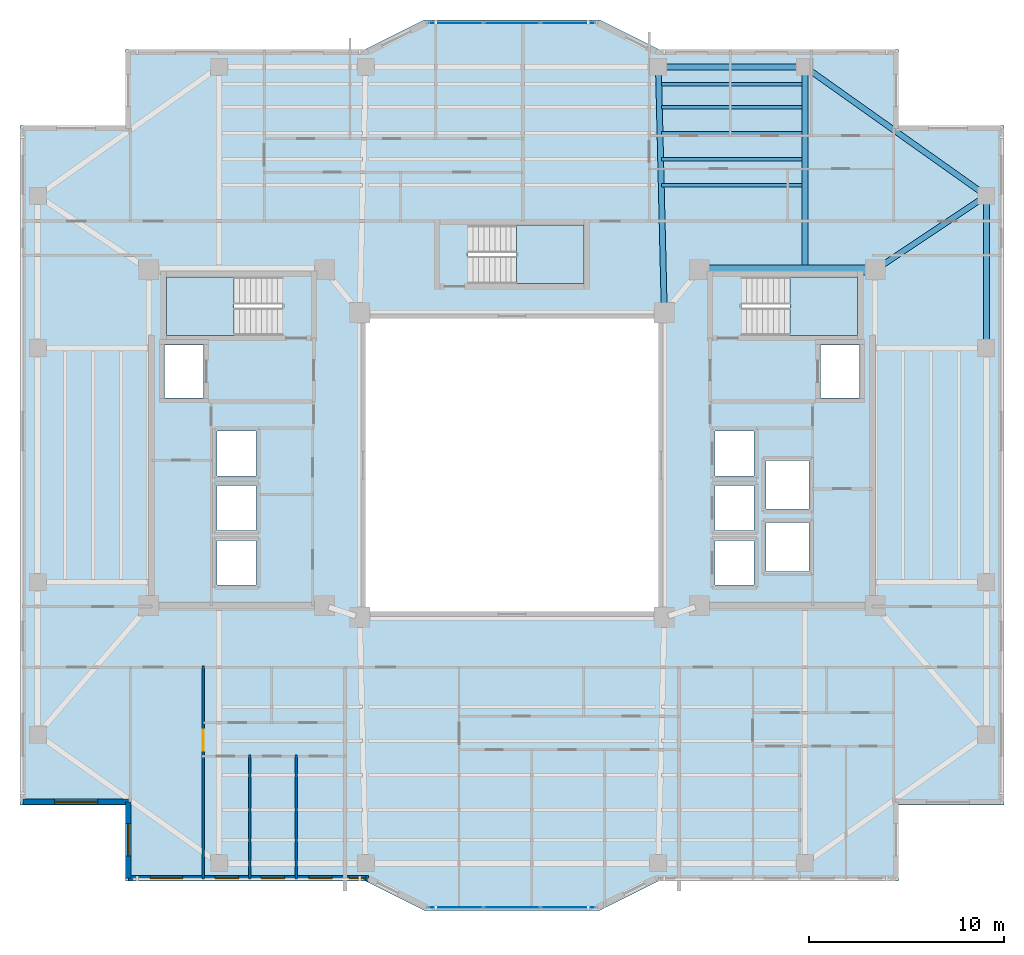
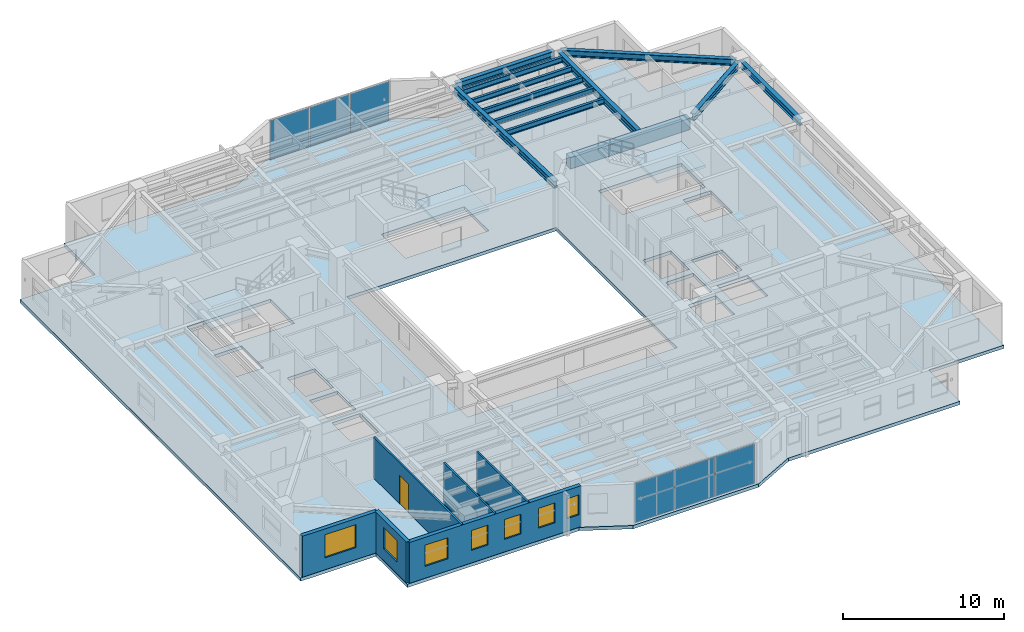
# One storey, part 5 of 16: 12 beams, 7 windows, 6 plates, 6 walls, 4 slabs, 1 door, 8 openings, 5 elements without a shape of their own.
"""IFC4 building model written with IfcOpenShell, lengths in metres."""

from ifc_helpers import new_model, si_unit, direction, frame, frame_2d, origin, origin_2d, place, context, subcontext, project, spatial, polyline, rectangle, i_section, outline, extrude, material, layer, layer_set, material_profile, profile_set, type_object, element, fill, aggregate, save


model = new_model("IFC4")

# Units and contexts
model_context = context("Model", 3, precision=1e-05, world=origin(), true_north=direction((0.0, 1.0)))
body_context = subcontext(model_context, "Body", "Model", "MODEL_VIEW")
ifc_project = project(units=[si_unit("LENGTHUNIT", "METRE"), si_unit("AREAUNIT", "SQUARE_METRE"), si_unit("VOLUMEUNIT", "CUBIC_METRE"), si_unit("PLANEANGLEUNIT", "RADIAN"), si_unit("MASSUNIT", "GRAM", prefix="KILO")], contexts=[model_context])

# Site, building, storey
site_placement = place(None, origin())
site = spatial("IfcSite", under=ifc_project, at=site_placement, CompositionType="ELEMENT")
building_placement = place(site_placement, origin())
building = spatial("IfcBuilding", under=site, at=building_placement, Name="Tarnavaz Court Tower", CompositionType="ELEMENT")
storey_placement = place(building_placement, frame((0.0, 0.0, 146.0)))
storey = spatial("IfcBuildingStorey", under=building, at=storey_placement, Name="L39", CompositionType="ELEMENT", Elevation=146.0)

# Beams
ifc_material_1 = material(Name="Concrete C50/60", Category="concrete")
ifc_material_profile_1 = material_profile(ifc_material_1, rectangle(XDim=0.5, YDim=0.85009765625, at=origin_2d()), Name="RC 500X850")
ifc_profile_set_1 = profile_set([ifc_material_profile_1], Name="Concrete C50/60")
beam_type_1 = type_object("IfcBeamType", Name="BM-CB850", PredefinedType="LINTEL", material=ifc_profile_set_1)
beam_1_placement = place(storey_placement, frame((18.3798828125, 10.0, 2.675048828125), z_axis=(-1.0, 0.0, 0.0), x_axis=(0.0, -1.0, 0.0)))
element("IfcBeam", 1, at=beam_1_placement, inside=storey, type_object=beam_type_1, Name="L39 Beam IN-CE-NO-CE-NI", PredefinedType="LINTEL", context=body_context, shape_type="SweptSolid", body=[
    extrude(rectangle(XDim=0.5, YDim=0.85009765625, at=origin_2d()), origin(), (0.0, 0.0, 1.0), 8.559814453125),
])
ifc_material_2 = material(Name="Steel S355", Category="steel")
ifc_material_profile_2 = material_profile(ifc_material_2, i_section(OverallWidth=0.300048828125, OverallDepth=0.5, WebThickness=0.014404296875, FlangeThickness=0.028076171875, FilletRadius=0.027099609375, at=origin_2d()), Name="HEB 500")
ifc_profile_set_2 = profile_set([ifc_material_profile_2], Name="Steel S355")
beam_type_2 = type_object("IfcBeamType", Name="BM-G-HEB500", PredefinedType="USERDEFINED", material=ifc_profile_set_2)
beam_2_placement = place(storey_placement, frame((7.794921875, 8.02001953125, 2.85009765625), z_axis=(-0.023824748444, 0.999716150395, 0.0), x_axis=(-0.999716150395, -0.023824748444, 0.0)))
element("IfcBeam", 2, at=beam_2_placement, inside=storey, type_object=beam_type_2, Name="L39 Beam RG-03", ObjectType="GIRDER", PredefinedType="USERDEFINED", context=body_context, shape_type="SweptSolid", body=[
    extrude(i_section(OverallWidth=0.300048828125, OverallDepth=0.5, WebThickness=0.014404296875, FlangeThickness=0.028076171875, FilletRadius=0.027099609375, at=origin_2d()), origin(), (0.0, 0.0, 1.0), 12.16357421875),
])
beam_3_placement = place(storey_placement, frame((15.0, 10.0400390625, 2.85009765625), z_axis=(0.0, 1.0, 0.0), x_axis=(-1.0, 0.0, 0.0)))
element("IfcBeam", 3, at=beam_3_placement, inside=storey, type_object=beam_type_2, Name="L39 Beam RG-04", ObjectType="GIRDER", PredefinedType="USERDEFINED", context=body_context, shape_type="SweptSolid", body=[
    extrude(i_section(OverallWidth=0.300048828125, OverallDepth=0.5, WebThickness=0.014404296875, FlangeThickness=0.028076171875, FilletRadius=0.027099609375, at=origin_2d()), origin(), (0.0, 0.0, 1.0), 10.139892578125),
])
beam_4_placement = place(storey_placement, frame((18.783203125, 10.1220703125, 2.85009765625), z_axis=(0.832044435051, 0.554708985056, 0.0), x_axis=(-0.554708985056, 0.832044435051, 0.0)))
element("IfcBeam", 4, at=beam_4_placement, inside=storey, type_object=beam_type_2, Name="L39 Beam RG-12", ObjectType="GIRDER", PredefinedType="USERDEFINED", context=body_context, shape_type="SweptSolid", body=[
    extrude(i_section(OverallWidth=0.300048828125, OverallDepth=0.5, WebThickness=0.014404296875, FlangeThickness=0.028076171875, FilletRadius=0.027099609375, at=origin_2d()), origin(), (0.0, 0.0, 1.0), 6.410400390625),
])
ifc_material_profile_3 = material_profile(ifc_material_2, i_section(OverallWidth=0.179931640625, OverallDepth=0.39990234375, WebThickness=0.008544921875, FlangeThickness=0.013427734375, FilletRadius=0.02099609375, at=origin_2d()), Name="IPE 400")
ifc_profile_set_3 = profile_set([ifc_material_profile_3], Name="Steel S355")
beam_type_3 = type_object("IfcBeamType", Name="BM-J-IPE400", PredefinedType="JOIST", material=ifc_profile_set_3)
for number, where, z_axis, x_axis, name in (
    (5, (7.64990234375, 14.33203125, 2.89990234375), (1.0, 0.0, 0.0), (0.0, 1.0, 0.0), "L39 Beam JN1-3"),
    (6, (7.64990234375, 15.6640625, 2.89990234375), (1.0, 0.0, 0.0), (0.0, 1.0, 0.0), "L39 Beam JN2-3"),
    (7, (7.64990234375, 16.99609375, 2.89990234375), (1.0, 0.0, 0.0), (0.0, 1.0, 0.0), "L39 Beam JN3-3"),
    (8, (7.64990234375, 18.327880859375, 2.89990234375), (1.0, 0.0, 0.0), (0.0, 1.0, 0.0), "L39 Beam JN4-3"),
    (9, (7.64990234375, 19.511962890625, 2.89990234375), (1.0, 0.0, 0.0), (0.0, 1.0, 0.0), "L39 Beam JN5-3"),
):
    element("IfcBeam", number, at=place(storey_placement, frame(where, z_axis=z_axis, x_axis=x_axis)), inside=storey, type_object=beam_type_3, Name=name, PredefinedType="JOIST", context=body_context, shape_type="SweptSolid", body=[
        extrude(i_section(OverallWidth=0.179931640625, OverallDepth=0.39990234375, WebThickness=0.008544921875, FlangeThickness=0.013427734375, FilletRadius=0.02099609375, at=origin_2d()), origin(), (0.0, 0.0, 1.0), 7.2001953125),
    ])
ifc_material_profile_4 = material_profile(ifc_material_2, i_section(OverallWidth=0.300048828125, OverallDepth=0.489990234375, WebThickness=0.011962890625, FlangeThickness=0.02294921875, FilletRadius=0.027099609375, at=origin_2d()), Name="HEA 500")
ifc_profile_set_4 = profile_set([ifc_material_profile_4], Name="Steel S355")
beam_type_4 = type_object("IfcBeamType", Name="BM-SP-HEA500", PredefinedType="SPANDREL", material=ifc_profile_set_4)
beam_5_placement = place(storey_placement, frame((7.719970703125, 20.39990234375, 2.85498046875), z_axis=(1.0, 0.0, 0.0), x_axis=(0.0, 1.0, 0.0)))
element("IfcBeam", 10, at=beam_5_placement, inside=storey, type_object=beam_type_4, Name="L39 Beam PR-PN-3-PN-4", PredefinedType="SPANDREL", context=body_context, shape_type="SweptSolid", body=[
    extrude(i_section(OverallWidth=0.300048828125, OverallDepth=0.489990234375, WebThickness=0.011962890625, FlangeThickness=0.02294921875, FilletRadius=0.027099609375, at=origin_2d()), origin(), (0.0, 0.0, 1.0), 7.06005859375),
])
beam_6_placement = place(storey_placement, frame((24.300048828125, 6.219970703125, 2.85498046875), z_axis=(0.0, 1.0, 0.0), x_axis=(-1.0, 0.0, 0.0)))
element("IfcBeam", 11, at=beam_6_placement, inside=storey, type_object=beam_type_4, Name="L39 Beam PR-PE-3-PE-4", PredefinedType="SPANDREL", context=body_context, shape_type="SweptSolid", body=[
    extrude(i_section(OverallWidth=0.300048828125, OverallDepth=0.489990234375, WebThickness=0.011962890625, FlangeThickness=0.02294921875, FilletRadius=0.027099609375, at=origin_2d()), origin(), (0.0, 0.0, 1.0), 7.360107421875),
])
beam_7_placement = place(storey_placement, frame((15.179443359375, 20.272705078125, 2.85498046875), z_axis=(0.815502059396, -0.57875417158, 0.0), x_axis=(0.57875417158, 0.815502059396, 0.0)))
element("IfcBeam", 12, at=beam_7_placement, inside=storey, type_object=beam_type_4, Name="L39 Beam PR-PN-4-PE-4", PredefinedType="SPANDREL", context=body_context, shape_type="SweptSolid", body=[
    extrude(i_section(OverallWidth=0.300048828125, OverallDepth=0.489990234375, WebThickness=0.011962890625, FlangeThickness=0.02294921875, FilletRadius=0.027099609375, at=origin_2d()), origin(), (0.0, 0.0, 1.0), 10.964111328125),
])

# Curtain wall, plates
ifc_material_3 = material(Name="Anodised Aluminium 6063-T6 and Solar Low-E Glazing", Category="aluminium")
ifc_layer_1 = layer(ifc_material_3, 0.159912109375)
ifc_layer_set_1 = layer_set([ifc_layer_1], Name="Anodised Aluminium 6063-T6 and Solar Low-E Glazing")
curtain_wall_type = type_object("IfcCurtainWallType", Name="CW-SYS-03", PredefinedType="NOTDEFINED", material=ifc_layer_set_1)
curtain_wall_1_placement = place(storey_placement, origin())
curtain_wall_1 = element("IfcCurtainWall", 13, at=curtain_wall_1_placement, inside=storey, type_object=curtain_wall_type, Name="L39 Iwan Prow Curtain Wall 7", PredefinedType="NOTDEFINED")
ifc_material_4 = material(Name="Double-Glazed Solar Low-E Glass", Category="glass")
ifc_layer_2 = layer(ifc_material_4, 0.028076171875)
ifc_layer_set_2 = layer_set([ifc_layer_2], Name="Double-Glazed Solar Low-E Glass")
plate_type = type_object("IfcPlateType", Name="CW-PAN-GLZ28", PredefinedType="CURTAIN_PANEL", material=ifc_layer_set_2)
plate_1_placement = place(storey_placement, frame((-2.88134765625, 22.64990234375, 0.06494140625), z_axis=(0.0, 0.0, 1.0), x_axis=(1.0, 0.0, 0.0)))
plate_1 = element("IfcPlate", 14, at=plate_1_placement, type_object=plate_type, Name="CW panel 1.1", PredefinedType="CURTAIN_PANEL", context=body_context, shape_type="SweptSolid", body=[
    extrude(rectangle(XDim=2.78759765625, YDim=0.028076171875, at=origin_2d()), origin(), (0.0, 0.0, 1.0), 2.969970703125),
])
plate_2_placement = place(storey_placement, frame((0.0, 22.64990234375, 0.06494140625), z_axis=(0.0, 0.0, 1.0), x_axis=(1.0, 0.0, 0.0)))
plate_2 = element("IfcPlate", 15, at=plate_2_placement, type_object=plate_type, Name="CW panel 2.1", PredefinedType="CURTAIN_PANEL", context=body_context, shape_type="SweptSolid", body=[
    extrude(rectangle(XDim=2.824951171875, YDim=0.028076171875, at=origin_2d()), origin(), (0.0, 0.0, 1.0), 2.969970703125),
])
plate_3_placement = place(storey_placement, frame((2.88134765625, 22.64990234375, 0.06494140625), z_axis=(0.0, 0.0, 1.0), x_axis=(1.0, 0.0, 0.0)))
plate_3 = element("IfcPlate", 16, at=plate_3_placement, type_object=plate_type, Name="CW panel 3.1", PredefinedType="CURTAIN_PANEL", context=body_context, shape_type="SweptSolid", body=[
    extrude(rectangle(XDim=2.78759765625, YDim=0.028076171875, at=origin_2d()), origin(), (0.0, 0.0, 1.0), 2.969970703125),
])
aggregate(curtain_wall_1, [plate_1, plate_2, plate_3])

curtain_wall_2_placement = place(storey_placement, origin())
curtain_wall_2 = element("IfcCurtainWall", 17, at=curtain_wall_2_placement, inside=storey, type_object=curtain_wall_type, Name="L39 Iwan Prow Curtain Wall 17", PredefinedType="NOTDEFINED")
plate_4_placement = place(storey_placement, frame((2.88134765625, -22.64990234375, 0.06494140625), z_axis=(0.0, 0.0, 1.0), x_axis=(-1.0, 0.0, 0.0)))
plate_4 = element("IfcPlate", 18, at=plate_4_placement, type_object=plate_type, Name="CW panel 1.1", PredefinedType="CURTAIN_PANEL", context=body_context, shape_type="SweptSolid", body=[
    extrude(rectangle(XDim=2.78759765625, YDim=0.028076171875, at=origin_2d()), origin(), (0.0, 0.0, 1.0), 2.969970703125),
])
plate_5_placement = place(storey_placement, frame((0.0, -22.64990234375, 0.06494140625), z_axis=(0.0, 0.0, 1.0), x_axis=(-1.0, 0.0, 0.0)))
plate_5 = element("IfcPlate", 19, at=plate_5_placement, type_object=plate_type, Name="CW panel 2.1", PredefinedType="CURTAIN_PANEL", context=body_context, shape_type="SweptSolid", body=[
    extrude(rectangle(XDim=2.824951171875, YDim=0.028076171875, at=origin_2d()), origin(), (0.0, 0.0, 1.0), 2.969970703125),
])
plate_6_placement = place(storey_placement, frame((-2.88134765625, -22.64990234375, 0.06494140625), z_axis=(0.0, 0.0, 1.0), x_axis=(-1.0, 0.0, 0.0)))
plate_6 = element("IfcPlate", 20, at=plate_6_placement, type_object=plate_type, Name="CW panel 3.1", PredefinedType="CURTAIN_PANEL", context=body_context, shape_type="SweptSolid", body=[
    extrude(rectangle(XDim=2.78759765625, YDim=0.028076171875, at=origin_2d()), origin(), (0.0, 0.0, 1.0), 2.969970703125),
])
aggregate(curtain_wall_2, [plate_4, plate_5, plate_6])

# Stair, slab
ifc_material_5 = material(Name="Concrete C40/50", Category="concrete")
stair_type = type_object("IfcStairType", Name="ST-TWR-20R", PredefinedType="HALF_TURN_STAIR", material=ifc_material_5)
stair_1_placement = place(storey_placement, origin())
stair_1 = element("IfcStair", 21, at=stair_1_placement, inside=storey, type_object=stair_type, Name="L39 West Core Pressurized Exit Stair ST-W1", PredefinedType="HALF_TURN_STAIR")
ifc_layer_3 = layer(ifc_material_5, 0.199951171875)
ifc_layer_set_3 = layer_set([ifc_layer_3], Name="Concrete C40/50")
slab_type_1 = type_object("IfcSlabType", Name="SL-LAND-200", PredefinedType="LANDING", material=ifc_layer_set_3)
slab_1_placement = place(storey_placement, frame((0.0, 0.0, 1.47509765625)))
slab_1 = element("IfcSlab", 22, at=slab_1_placement, type_object=slab_type_1, Name="ST-W1 landing 1", PredefinedType="LANDING", context=body_context, shape_type="SweptSolid", body=[
    extrude(outline(polyline([(-14.239990234375, 9.639892578125), (-17.699951171875, 9.639892578125), (-17.699951171875, 6.64990234375), (-14.239990234375, 6.64990234375), (-14.239990234375, 9.639892578125)])), origin(), (0.0, 0.0, 1.0), 0.199951171875),
])
aggregate(stair_1, [slab_1])

stair_2_placement = place(storey_placement, origin())
stair_2 = element("IfcStair", 23, at=stair_2_placement, inside=storey, type_object=stair_type, Name="L39 East Core Pressurized Exit Stair ST-E1", PredefinedType="HALF_TURN_STAIR")
slab_2_placement = place(storey_placement, frame((0.0, 0.0, 1.47509765625)))
slab_2 = element("IfcSlab", 24, at=slab_2_placement, type_object=slab_type_1, Name="ST-E1 landing 1", PredefinedType="LANDING", context=body_context, shape_type="SweptSolid", body=[
    extrude(outline(polyline([(14.239990234375, 6.64990234375), (17.699951171875, 6.64990234375), (17.699951171875, 9.639892578125), (14.239990234375, 9.639892578125), (14.239990234375, 6.64990234375)])), origin(), (0.0, 0.0, 1.0), 0.199951171875),
])
aggregate(stair_2, [slab_2])

stair_3_placement = place(storey_placement, origin())
stair_3 = element("IfcStair", 25, at=stair_3_placement, inside=storey, type_object=stair_type, Name="L39 North Ring Pressurized Exit Stair ST-N1", PredefinedType="HALF_TURN_STAIR")
slab_3_placement = place(storey_placement, frame((0.0, 0.0, 1.47509765625)))
slab_3 = element("IfcSlab", 26, at=slab_3_placement, type_object=slab_type_1, Name="ST-N1 landing 1", PredefinedType="LANDING", context=body_context, shape_type="SweptSolid", body=[
    extrude(outline(polyline([(0.239990234375, 9.300048828125), (3.699951171875, 9.300048828125), (3.699951171875, 12.2900390625), (0.239990234375, 12.2900390625), (0.239990234375, 9.300048828125)])), origin(), (0.0, 0.0, 1.0), 0.199951171875),
])
aggregate(stair_3, [slab_3])

# Slab
ifc_layer_4 = layer(ifc_material_5, 0.25)
ifc_layer_set_4 = layer_set([ifc_layer_4], Name="Concrete C40/50")
slab_type_2 = type_object("IfcSlabType", Name="SL-RES-250", PredefinedType="FLOOR", material=ifc_layer_set_4)
slab_4_placement = place(storey_placement, frame((0.0, 0.0, -0.25)))
element("IfcSlab", 27, at=slab_4_placement, inside=storey, type_object=slab_type_2, Name="L39 Structural Floor Slab", PredefinedType="FLOOR", context=body_context, shape_type="SweptSolid", body=[
    extrude(outline(polyline([(-19.800048828125, -21.300048828125), (-7.5, -21.300048828125), (-4.5, -22.800048828125), (4.5, -22.800048828125), (7.5, -21.300048828125), (19.800048828125, -21.300048828125), (19.800048828125, -17.39990234375), (25.199951171875, -17.39990234375), (25.199951171875, 17.39990234375), (19.800048828125, 17.39990234375), (19.800048828125, 21.300048828125), (7.5, 21.300048828125), (4.5, 22.800048828125), (-4.5, 22.800048828125), (-7.5, 21.300048828125), (-19.800048828125, 21.300048828125), (-19.800048828125, 17.39990234375), (-25.199951171875, 17.39990234375), (-25.199951171875, -17.39990234375), (-19.800048828125, -17.39990234375), (-19.800048828125, -21.300048828125)]), holes=[polyline([(-7.5, -7.5), (7.5, -7.5), (7.5, 7.5), (-7.5, 7.5), (-7.5, -7.5)]), polyline([(-11.7451171875, 9.639892578125), (-17.699951171875, 9.639892578125), (-17.699951171875, 6.64990234375), (-11.7451171875, 6.64990234375), (-11.7451171875, 9.639892578125)]), polyline([(11.7451171875, 6.64990234375), (17.699951171875, 6.64990234375), (17.699951171875, 9.639892578125), (11.7451171875, 9.639892578125), (11.7451171875, 6.64990234375)]), polyline([(-2.2548828125, 9.300048828125), (3.699951171875, 9.300048828125), (3.699951171875, 12.2900390625), (-2.2548828125, 12.2900390625), (-2.2548828125, 9.300048828125)]), polyline([(-17.800048828125, 3.449951171875), (-15.800048828125, 3.449951171875), (-15.800048828125, 6.14990234375), (-17.800048828125, 6.14990234375), (-17.800048828125, 3.449951171875)]), polyline([(-15.10009765625, -6.14990234375), (-13.10009765625, -6.14990234375), (-13.10009765625, -3.85009765625), (-15.10009765625, -3.85009765625), (-15.10009765625, -6.14990234375)]), polyline([(-15.10009765625, -3.35009765625), (-13.10009765625, -3.35009765625), (-13.10009765625, -1.050048828125), (-15.10009765625, -1.050048828125), (-15.10009765625, -3.35009765625)]), polyline([(-15.10009765625, -0.550048828125), (-13.10009765625, -0.550048828125), (-13.10009765625, 1.75), (-15.10009765625, 1.75), (-15.10009765625, -0.550048828125)]), polyline([(15.800048828125, 3.449951171875), (17.800048828125, 3.449951171875), (17.800048828125, 6.14990234375), (15.800048828125, 6.14990234375), (15.800048828125, 3.449951171875)]), polyline([(10.39990234375, -6.14990234375), (12.39990234375, -6.14990234375), (12.39990234375, -3.85009765625), (10.39990234375, -3.85009765625), (10.39990234375, -6.14990234375)]), polyline([(10.39990234375, -3.35009765625), (12.39990234375, -3.35009765625), (12.39990234375, -1.050048828125), (10.39990234375, -1.050048828125), (10.39990234375, -3.35009765625)]), polyline([(10.39990234375, -0.550048828125), (12.39990234375, -0.550048828125), (12.39990234375, 1.75), (10.39990234375, 1.75), (10.39990234375, -0.550048828125)]), polyline([(13.0, -5.449951171875), (15.199951171875, -5.449951171875), (15.199951171875, -2.949951171875), (13.0, -2.949951171875), (13.0, -5.449951171875)]), polyline([(13.0, -2.25), (15.199951171875, -2.25), (15.199951171875, 0.25), (13.0, 0.25), (13.0, -2.25)])]), origin(), (0.0, 0.0, 1.0), 0.25),
])

# Wall, opening, window
ifc_material_6 = material(Name="Precast Concrete C40/50", Category="concrete")
ifc_layer_5 = layer(ifc_material_6, 0.280029296875)
ifc_layer_set_5 = layer_set([ifc_layer_5], Name="Precast Concrete C40/50")
wall_type_1 = type_object("IfcWallType", Name="WL-EXT-280", PredefinedType="SOLIDWALL", material=ifc_layer_set_5)
wall_1_placement = place(storey_placement, frame((-19.64990234375, -17.25, 0.0), z_axis=(0.0, 0.0, 1.0), x_axis=(-1.0, 0.0, 0.0)))
wall_1 = element("IfcWall", 28, at=wall_1_placement, inside=storey, type_object=wall_type_1, Name="L39 Exterior Terracotta Facade Wall 01", PredefinedType="SOLIDWALL", context=body_context, shape_type="SweptSolid", body=[
    extrude(rectangle(XDim=5.400146484375, YDim=0.280029296875, at=frame_2d((2.7001953125, 0.0))), origin(), (0.0, 0.0, 1.0), 3.10009765625),
])
opening_1_placement = place(wall_1_placement, frame((1.574951171875, 0.0, 0.89990234375)))
opening_1 = element("IfcOpeningElement", 29, at=opening_1_placement, cuts=wall_1, Name="Opening W07", PredefinedType="OPENING", context=body_context, shape_type="SweptSolid", body=[
    extrude(rectangle(XDim=2.199951171875, YDim=1.75, at=frame_2d((1.10009765625, 0.875))), frame((0.0, 0.14990234375, 0.0), z_axis=(0.0, -1.0, 0.0), x_axis=(1.0, 0.0, 0.0)), (0.0, 0.0, 1.0), 0.300048828125),
])
window_type_1 = type_object("IfcWindowType", Name="WN-APT-2200", PartitioningType="TRIPLE_PANEL_VERTICAL", PredefinedType="WINDOW", material=ifc_material_4)
window_1_placement = place(opening_1_placement, origin())
window_1 = element("IfcWindow", 30, at=window_1_placement, inside=storey, type_object=window_type_1, Name="L39 South-West Corner Reading Room Window", OverallHeight=1.75, OverallWidth=2.199951171875, PartitioningType="SINGLE_PANEL", PredefinedType="WINDOW", context=body_context, shape_type="SweptSolid", body=[
    extrude(rectangle(XDim=2.199951171875, YDim=1.75, at=frame_2d((1.10009765625, 0.875))), frame((0.0, 0.030029296875, 0.0), z_axis=(0.0, -1.0, 0.0), x_axis=(1.0, 0.0, 0.0)), (0.0, 0.0, 1.0), 0.06005859375),
])
fill(opening_1, window_1)

# Wall, openings, windows
wall_2_placement = place(storey_placement, frame((-7.35009765625, -21.14990234375, 0.0), z_axis=(0.0, 0.0, 1.0), x_axis=(-1.0, 0.0, 0.0)))
wall_2 = element("IfcWall", 31, at=wall_2_placement, inside=storey, type_object=wall_type_1, Name="L39 Exterior Terracotta Facade Wall 19", PredefinedType="SOLIDWALL", context=body_context, shape_type="SweptSolid", body=[
    extrude(rectangle(XDim=12.2998046875, YDim=0.280029296875, at=frame_2d((6.14990234375, 0.0))), origin(), (0.0, 0.0, 1.0), 3.10009765625),
])
opening_2_placement = place(wall_2_placement, frame((0.147216796875, 0.0, 0.949951171875)))
opening_2 = element("IfcOpeningElement", 32, at=opening_2_placement, cuts=wall_2, Name="Opening W15", PredefinedType="OPENING", context=body_context, shape_type="SweptSolid", body=[
    extrude(rectangle(XDim=0.85009765625, YDim=1.5, at=frame_2d((0.425048828125, 0.75))), frame((0.0, 0.14990234375, 0.0), z_axis=(0.0, -1.0, 0.0), x_axis=(1.0, 0.0, 0.0)), (0.0, 0.0, 1.0), 0.300048828125),
])
opening_3_placement = place(wall_2_placement, frame((1.860107421875, 0.0, 0.949951171875)))
opening_3 = element("IfcOpeningElement", 33, at=opening_3_placement, cuts=wall_2, Name="Opening W05", PredefinedType="OPENING", context=body_context, shape_type="SweptSolid", body=[
    extrude(rectangle(XDim=1.199951171875, YDim=1.5, at=frame_2d((0.60009765625, 0.75))), frame((0.0, 0.14990234375, 0.0), z_axis=(0.0, -1.0, 0.0), x_axis=(1.0, 0.0, 0.0)), (0.0, 0.0, 1.0), 0.300048828125),
])
opening_4_placement = place(wall_2_placement, frame((4.294921875, 0.0, 0.949951171875)))
opening_4 = element("IfcOpeningElement", 34, at=opening_4_placement, cuts=wall_2, Name="Opening W05", PredefinedType="OPENING", context=body_context, shape_type="SweptSolid", body=[
    extrude(rectangle(XDim=1.199951171875, YDim=1.5, at=frame_2d((0.60009765625, 0.75))), frame((0.0, 0.14990234375, 0.0), z_axis=(0.0, -1.0, 0.0), x_axis=(1.0, 0.0, 0.0)), (0.0, 0.0, 1.0), 0.300048828125),
])
opening_5_placement = place(wall_2_placement, frame((6.654541015625, 0.0, 0.949951171875)))
opening_5 = element("IfcOpeningElement", 35, at=opening_5_placement, cuts=wall_2, Name="Opening W05", PredefinedType="OPENING", context=body_context, shape_type="SweptSolid", body=[
    extrude(rectangle(XDim=1.199951171875, YDim=1.5, at=frame_2d((0.60009765625, 0.75))), frame((0.0, 0.14990234375, 0.0), z_axis=(0.0, -1.0, 0.0), x_axis=(1.0, 0.0, 0.0)), (0.0, 0.0, 1.0), 0.300048828125),
])
opening_6_placement = place(wall_2_placement, frame((9.51708984375, 0.0, 0.89990234375)))
opening_6 = element("IfcOpeningElement", 36, at=opening_6_placement, cuts=wall_2, Name="Opening W02", PredefinedType="OPENING", context=body_context, shape_type="SweptSolid", body=[
    extrude(rectangle(XDim=1.64990234375, YDim=1.60009765625, at=frame_2d((0.824951171875, 0.800048828125))), frame((0.0, 0.14990234375, 0.0), z_axis=(0.0, -1.0, 0.0), x_axis=(1.0, 0.0, 0.0)), (0.0, 0.0, 1.0), 0.300048828125),
])
window_type_2 = type_object("IfcWindowType", Name="WN-APT-1200", PartitioningType="SINGLE_PANEL", PredefinedType="WINDOW", material=ifc_material_4)
window_2_placement = place(opening_3_placement, origin())
window_2 = element("IfcWindow", 37, at=window_2_placement, inside=storey, type_object=window_type_2, Name="L39 Flat 03 Bedroom 3 Window", OverallHeight=1.5, OverallWidth=1.199951171875, PartitioningType="SINGLE_PANEL", PredefinedType="WINDOW", context=body_context, shape_type="SweptSolid", body=[
    extrude(rectangle(XDim=1.199951171875, YDim=1.5, at=frame_2d((0.60009765625, 0.75))), frame((0.0, 0.030029296875, 0.0), z_axis=(0.0, -1.0, 0.0), x_axis=(1.0, 0.0, 0.0)), (0.0, 0.0, 1.0), 0.06005859375),
])
fill(opening_3, window_2)
window_3_placement = place(opening_4_placement, origin())
window_3 = element("IfcWindow", 38, at=window_3_placement, inside=storey, type_object=window_type_2, Name="L39 Flat 03 Bedroom 2 Window", OverallHeight=1.5, OverallWidth=1.199951171875, PartitioningType="SINGLE_PANEL", PredefinedType="WINDOW", context=body_context, shape_type="SweptSolid", body=[
    extrude(rectangle(XDim=1.199951171875, YDim=1.5, at=frame_2d((0.60009765625, 0.75))), frame((0.0, 0.030029296875, 0.0), z_axis=(0.0, -1.0, 0.0), x_axis=(1.0, 0.0, 0.0)), (0.0, 0.0, 1.0), 0.06005859375),
])
fill(opening_4, window_3)
window_4_placement = place(opening_5_placement, origin())
window_4 = element("IfcWindow", 39, at=window_4_placement, inside=storey, type_object=window_type_2, Name="L39 Flat 03 Principal Bedroom Window", OverallHeight=1.5, OverallWidth=1.199951171875, PartitioningType="SINGLE_PANEL", PredefinedType="WINDOW", context=body_context, shape_type="SweptSolid", body=[
    extrude(rectangle(XDim=1.199951171875, YDim=1.5, at=frame_2d((0.60009765625, 0.75))), frame((0.0, 0.030029296875, 0.0), z_axis=(0.0, -1.0, 0.0), x_axis=(1.0, 0.0, 0.0)), (0.0, 0.0, 1.0), 0.06005859375),
])
fill(opening_5, window_4)
window_type_3 = type_object("IfcWindowType", Name="WN-APT-1650", PartitioningType="DOUBLE_PANEL_VERTICAL", PredefinedType="WINDOW", material=ifc_material_4)
window_5_placement = place(opening_6_placement, origin())
window_5 = element("IfcWindow", 40, at=window_5_placement, inside=storey, type_object=window_type_3, Name="L39 Flat 03 Living and Dining Room Window", OverallHeight=1.60009765625, OverallWidth=1.64990234375, PartitioningType="SINGLE_PANEL", PredefinedType="WINDOW", context=body_context, shape_type="SweptSolid", body=[
    extrude(rectangle(XDim=1.64990234375, YDim=1.60009765625, at=frame_2d((0.824951171875, 0.800048828125))), frame((0.0, 0.030029296875, 0.0), z_axis=(0.0, -1.0, 0.0), x_axis=(1.0, 0.0, 0.0)), (0.0, 0.0, 1.0), 0.06005859375),
])
fill(opening_6, window_5)
window_type_4 = type_object("IfcWindowType", Name="WN-APT-850", PartitioningType="SINGLE_PANEL", PredefinedType="WINDOW", material=ifc_material_4)
window_6_placement = place(opening_2_placement, origin())
window_6 = element("IfcWindow", 41, at=window_6_placement, inside=storey, type_object=window_type_4, Name="L39 Flat 05 Living and Dining Room Window", OverallHeight=1.5, OverallWidth=0.85009765625, PartitioningType="SINGLE_PANEL", PredefinedType="WINDOW", context=body_context, shape_type="SweptSolid", body=[
    extrude(rectangle(XDim=0.85009765625, YDim=1.5, at=frame_2d((0.425048828125, 0.75))), frame((0.0, 0.030029296875, 0.0), z_axis=(0.0, -1.0, 0.0), x_axis=(1.0, 0.0, 0.0)), (0.0, 0.0, 1.0), 0.06005859375),
])
fill(opening_2, window_6)

# Wall, opening, window
wall_3_placement = place(storey_placement, frame((-19.64990234375, -21.14990234375, 0.0), z_axis=(0.0, 0.0, 1.0), x_axis=(0.0, 1.0, 0.0)))
wall_3 = element("IfcWall", 42, at=wall_3_placement, inside=storey, type_object=wall_type_1, Name="L39 Exterior Terracotta Facade Wall 20", PredefinedType="SOLIDWALL", context=body_context, shape_type="SweptSolid", body=[
    extrude(rectangle(XDim=3.89990234375, YDim=0.280029296875, at=frame_2d((1.949951171875, 0.0))), origin(), (0.0, 0.0, 1.0), 3.10009765625),
])
opening_7_placement = place(wall_3_placement, frame((1.142822265625, 0.0, 0.89990234375)))
opening_7 = element("IfcOpeningElement", 43, at=opening_7_placement, cuts=wall_3, Name="Opening W02", PredefinedType="OPENING", context=body_context, shape_type="SweptSolid", body=[
    extrude(rectangle(XDim=1.64990234375, YDim=1.60009765625, at=frame_2d((0.824951171875, 0.800048828125))), frame((0.0, 0.14990234375, 0.0), z_axis=(0.0, -1.0, 0.0), x_axis=(1.0, 0.0, 0.0)), (0.0, 0.0, 1.0), 0.300048828125),
])
window_7_placement = place(opening_7_placement, origin())
window_7 = element("IfcWindow", 44, at=window_7_placement, inside=storey, type_object=window_type_3, Name="L39 Flat 03 Living and Dining Room Window", OverallHeight=1.60009765625, OverallWidth=1.64990234375, PartitioningType="SINGLE_PANEL", PredefinedType="WINDOW", context=body_context, shape_type="SweptSolid", body=[
    extrude(rectangle(XDim=1.64990234375, YDim=1.60009765625, at=frame_2d((0.824951171875, 0.800048828125))), frame((0.0, 0.030029296875, 0.0), z_axis=(0.0, -1.0, 0.0), x_axis=(1.0, 0.0, 0.0)), (0.0, 0.0, 1.0), 0.06005859375),
])
fill(opening_7, window_7)

# Wall, opening, door
ifc_material_7 = material(Name="Moisture-Resistant Gypsum Board Partition", Category="masonry")
ifc_layer_6 = layer(ifc_material_7, 0.1201171875)
ifc_layer_set_6 = layer_set([ifc_layer_6], Name="Moisture-Resistant Gypsum Board Partition")
wall_type_2 = type_object("IfcWallType", Name="WL-PART-120", PredefinedType="PARTITIONING", material=ifc_layer_set_6)
wall_4_placement = place(storey_placement, frame((-15.80810546875, -21.199951171875, 0.0), z_axis=(0.0, 0.0, 1.0), x_axis=(0.0, 1.0, 0.0)))
wall_4 = element("IfcWall", 45, at=wall_4_placement, inside=storey, type_object=wall_type_2, Name="L39 Interior Partition 090", PredefinedType="PARTITIONING", context=body_context, shape_type="SweptSolid", body=[
    extrude(rectangle(XDim=10.909912109375, YDim=0.1201171875, at=frame_2d((5.455078125, 0.0))), origin(), (0.0, 0.0, 1.0), 3.10009765625),
])
opening_8_placement = place(wall_4_placement, frame((6.574951171875, 0.0, 0.0)))
opening_8 = element("IfcOpeningElement", 46, at=opening_8_placement, cuts=wall_4, Name="Opening D12", PredefinedType="OPENING", context=body_context, shape_type="SweptSolid", body=[
    extrude(rectangle(XDim=1.080078125, YDim=2.14990234375, at=frame_2d((0.5400390625, 1.074951171875))), frame((0.0, 0.070068359375, 0.0), z_axis=(0.0, -1.0, 0.0), x_axis=(1.0, 0.0, 0.0)), (0.0, 0.0, 1.0), 0.14013671875),
])
ifc_material_8 = material(Name="Engineered Oak Timber", Category="wood")
door_type = type_object("IfcDoorType", Name="DR-INT-1100", OperationType="NOTDEFINED", PredefinedType="DOOR", material=ifc_material_8)
door_placement = place(opening_8_placement, origin())
door = element("IfcDoor", 47, at=door_placement, inside=storey, type_object=door_type, Name="L39 Flat 03 Foyer Door", OperationType="SINGLE_SWING_RIGHT", OverallHeight=2.14990234375, OverallWidth=1.080078125, PredefinedType="DOOR", context=body_context, shape_type="SweptSolid", body=[
    extrude(rectangle(XDim=1.080078125, YDim=2.14990234375, at=frame_2d((0.5400390625, 1.074951171875))), frame((0.0, 0.02490234375, 0.0), z_axis=(0.0, -1.0, 0.0), x_axis=(1.0, 0.0, 0.0)), (0.0, 0.0, 1.0), 0.050048828125),
])
fill(opening_8, door)

# Walls
for number, where, z_axis, x_axis, name in (
    (48, (-13.425048828125, -21.199951171875, 0.0), (0.0, 0.0, 1.0), (0.0, 1.0, 0.0), "L39 Interior Partition 095"),
    (49, (-11.04296875, -21.199951171875, 0.0), (0.0, 0.0, 1.0), (0.0, 1.0, 0.0), "L39 Interior Partition 096"),
):
    element("IfcWall", number, at=place(storey_placement, frame(where, z_axis=z_axis, x_axis=x_axis)), inside=storey, type_object=wall_type_2, Name=name, PredefinedType="PARTITIONING", context=body_context, shape_type="SweptSolid", body=[
        extrude(rectangle(XDim=6.349853515625, YDim=0.1201171875, at=frame_2d((3.1748046875, 0.0))), origin(), (0.0, 0.0, 1.0), 3.10009765625),
    ])

save(model, "model.ifc")
